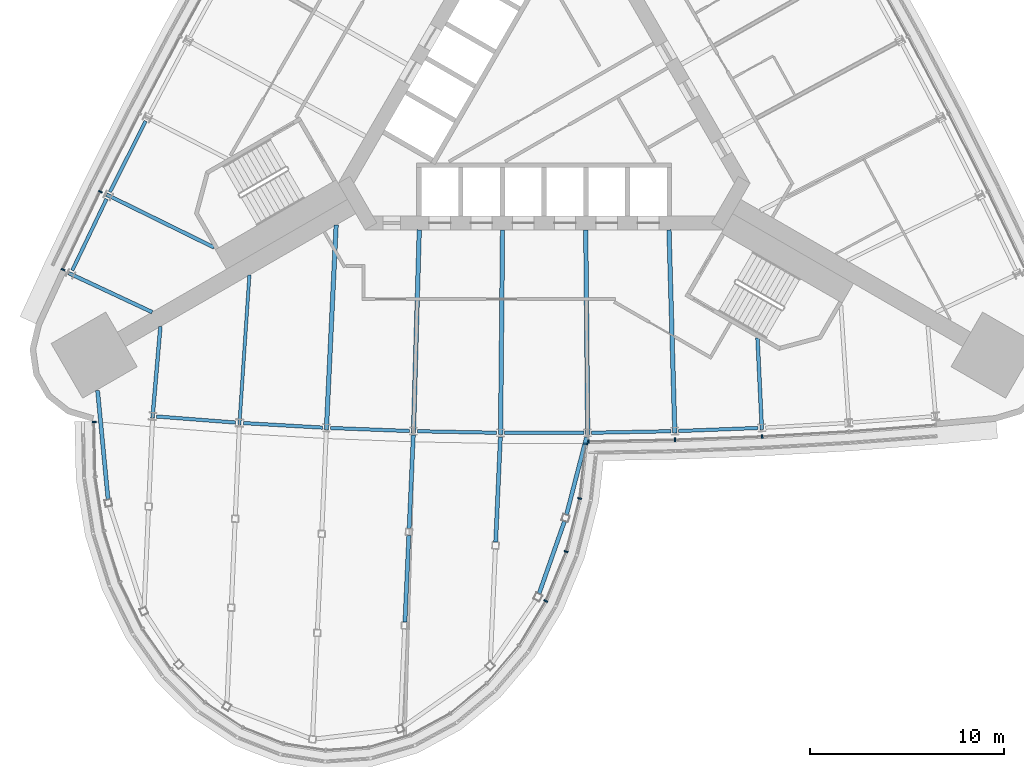
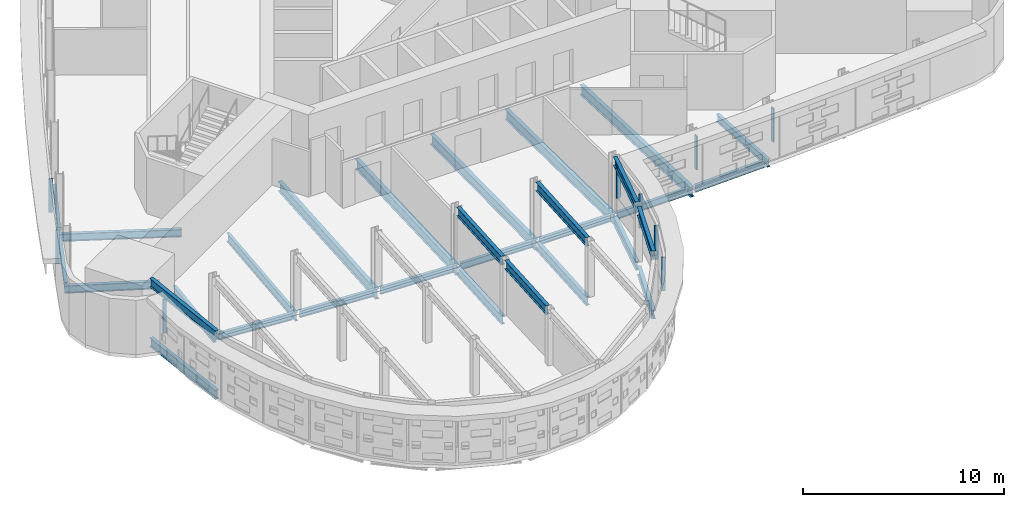
# One storey, part 4 of 16: 30 beams, 10 members, 3 elements without a shape of their own.
"""IFC4 building model written with IfcOpenShell, lengths in metres."""

from ifc_helpers import new_model, si_unit, direction, frame, origin, origin_2d, place, context, subcontext, project, spatial, rectangle, i_section, extrude, material, material_profile, profile_set, type_object, element, aggregate, save


model = new_model("IFC4")

# Units and contexts
model_context = context("Model", 3, precision=1e-05, world=origin(), true_north=direction((0.0, 1.0)))
body_context = subcontext(model_context, "Body", "Model", "MODEL_VIEW")
ifc_project = project(units=[si_unit("LENGTHUNIT", "METRE"), si_unit("AREAUNIT", "SQUARE_METRE"), si_unit("VOLUMEUNIT", "CUBIC_METRE"), si_unit("PLANEANGLEUNIT", "RADIAN"), si_unit("MASSUNIT", "GRAM", prefix="KILO")], contexts=[model_context])

# Site, building, storey
site_placement = place(None, origin())
site = spatial("IfcSite", under=ifc_project, at=site_placement, CompositionType="ELEMENT")
building_placement = place(site_placement, origin())
building = spatial("IfcBuilding", under=site, at=building_placement, Name="Noor Cloister Tower", CompositionType="ELEMENT")
storey_placement = place(building_placement, frame((0.0, 0.0, 65.39990234375)))
storey = spatial("IfcBuildingStorey", under=building, at=storey_placement, Name="L16", CompositionType="ELEMENT", Elevation=65.39990234375)

# Curtain wall, members
ifc_material_1 = material(Name="Aluminium 6063-T6 anodised", Category="aluminium")
curtain_wall_type_1 = type_object("IfcCurtainWallType", Name="Ribbon curtain wall, lower tower CW1", PredefinedType="NOTDEFINED", material=ifc_material_1)
curtain_wall_1_placement = place(storey_placement, origin())
curtain_wall_1 = element("IfcCurtainWall", 1, at=curtain_wall_1_placement, inside=storey, type_object=curtain_wall_type_1, Name="CW1 L16 NW run 1", PredefinedType="NOTDEFINED")
ifc_material_2 = material(Name="Aluminium 6063-T6 anodised", Category="aluminium")
ifc_material_profile_1 = material_profile(ifc_material_2, rectangle(XDim=0.199951171875, YDim=0.080078125, at=origin_2d()), Name="200 x 80 mullion")
ifc_profile_set_1 = profile_set([ifc_material_profile_1], Name="Aluminium 6063-T6 anodised")
member_type_1 = type_object("IfcMemberType", Name="Mullion CW1 80 x 200", PredefinedType="MULLION", material=ifc_profile_set_1)
member_1_placement = place(storey_placement, frame((-22.873046875, -4.95947265625, 1.10009765625), z_axis=(0.0, 0.0, 1.0), x_axis=(0.897485415841, -0.441044134246, 0.0)))
member_1 = element("IfcMember", 2, at=member_1_placement, type_object=member_type_1, Name="CW1 mullion 9", PredefinedType="MULLION", context=body_context, shape_type="SweptSolid", body=[
    extrude(rectangle(XDim=0.199951171875, YDim=0.080078125, at=origin_2d()), origin(), (0.0, 0.0, 1.0), 2.050048828125),
])
member_2_placement = place(storey_placement, frame((-24.80126953125, -8.97998046875, 1.10009765625), z_axis=(0.0, 0.0, 1.0), x_axis=(0.9016555994, -0.432454830094, 0.0)))
member_2 = element("IfcMember", 3, at=member_2_placement, type_object=member_type_1, Name="CW1 mullion 10", PredefinedType="MULLION", context=body_context, shape_type="SweptSolid", body=[
    extrude(rectangle(XDim=0.199951171875, YDim=0.080078125, at=origin_2d()), origin(), (0.0, 0.0, 1.0), 2.050048828125),
])
aggregate(curtain_wall_1, [member_1, member_2])

curtain_wall_2_placement = place(storey_placement, origin())
curtain_wall_2 = element("IfcCurtainWall", 4, at=curtain_wall_2_placement, inside=storey, type_object=curtain_wall_type_1, Name="CW1 L16 S run 3", PredefinedType="NOTDEFINED")
member_3_placement = place(storey_placement, frame((2.2880859375, -17.84326171875, 1.10009765625), z_axis=(0.0, 0.0, 1.0), x_axis=(-0.019095132503, 0.999817671335, 0.0)))
member_3 = element("IfcMember", 5, at=member_3_placement, type_object=member_type_1, Name="CW1 mullion 1", PredefinedType="MULLION", context=body_context, shape_type="SweptSolid", body=[
    extrude(rectangle(XDim=0.199951171875, YDim=0.080078125, at=origin_2d()), origin(), (0.0, 0.0, 1.0), 2.050048828125),
])
member_4_placement = place(storey_placement, frame((6.74609375, -17.75830078125, 1.10009765625), z_axis=(0.0, 0.0, 1.0), x_axis=(-0.028640531415, 0.999589775838, 0.0)))
member_4 = element("IfcMember", 6, at=member_4_placement, type_object=member_type_1, Name="CW1 mullion 2", PredefinedType="MULLION", context=body_context, shape_type="SweptSolid", body=[
    extrude(rectangle(XDim=0.199951171875, YDim=0.080078125, at=origin_2d()), origin(), (0.0, 0.0, 1.0), 2.050048828125),
])
member_5_placement = place(storey_placement, frame((11.240966796875, -17.58642578125, 1.10009765625), z_axis=(0.0, 0.0, 1.0), x_axis=(-0.047722608643, 0.998860627227, 0.0)))
member_5 = element("IfcMember", 7, at=member_5_placement, type_object=member_type_1, Name="CW1 mullion 3", PredefinedType="MULLION", context=body_context, shape_type="SweptSolid", body=[
    extrude(rectangle(XDim=0.199951171875, YDim=0.080078125, at=origin_2d()), origin(), (0.0, 0.0, 1.0), 2.050048828125),
])
aggregate(curtain_wall_2, [member_3, member_4, member_5])

ifc_material_3 = material(Name="Aluminium 6063-T6 anodised", Category="aluminium")
curtain_wall_type_2 = type_object("IfcCurtainWallType", Name="Sky bar curtain wall, lower bars CW2", PredefinedType="NOTDEFINED", material=ifc_material_3)
curtain_wall_3_placement = place(storey_placement, origin())
curtain_wall_3 = element("IfcCurtainWall", 8, at=curtain_wall_3_placement, inside=storey, type_object=curtain_wall_type_2, Name="CW2 L16 S sky bar run 2", PredefinedType="NOTDEFINED")
ifc_material_4 = material(Name="Aluminium 6063-T6 anodised", Category="aluminium")
ifc_material_profile_2 = material_profile(ifc_material_4, rectangle(XDim=0.199951171875, YDim=0.080078125, at=origin_2d()), Name="200 x 80 mullion")
ifc_profile_set_2 = profile_set([ifc_material_profile_2], Name="Aluminium 6063-T6 anodised")
member_type_2 = type_object("IfcMemberType", Name="Mullion CW2 80 x 200", PredefinedType="MULLION", material=ifc_profile_set_2)
member_6_placement = place(storey_placement, frame((-23.1962890625, -16.838134765625, 1.10009765625), z_axis=(0.0, 0.0, 1.0), x_axis=(0.999736542199, 0.022953130341, 0.0)))
member_6 = element("IfcMember", 9, at=member_6_placement, type_object=member_type_2, Name="CW2 mullion 1", PredefinedType="MULLION", context=body_context, shape_type="SweptSolid", body=[
    extrude(rectangle(XDim=0.199951171875, YDim=0.080078125, at=origin_2d()), origin(), (0.0, 0.0, 1.0), 2.050048828125),
])
member_7_placement = place(storey_placement, frame((0.080078125, -26.064208984375, 1.10009765625), z_axis=(0.0, 0.0, 1.0), x_axis=(-0.89306006257, 0.44993746748, 0.0)))
member_7 = element("IfcMember", 10, at=member_7_placement, type_object=member_type_2, Name="CW2 mullion 16", PredefinedType="MULLION", context=body_context, shape_type="SweptSolid", body=[
    extrude(rectangle(XDim=0.199951171875, YDim=0.080078125, at=origin_2d()), origin(), (0.0, 0.0, 1.0), 2.050048828125),
])
member_8_placement = place(storey_placement, frame((1.132080078125, -23.515625, 1.10009765625), z_axis=(0.0, 0.0, 1.0), x_axis=(-0.949082911545, 0.315026390978, 0.0)))
member_8 = element("IfcMember", 11, at=member_8_placement, type_object=member_type_2, Name="CW2 mullion 17", PredefinedType="MULLION", context=body_context, shape_type="SweptSolid", body=[
    extrude(rectangle(XDim=0.199951171875, YDim=0.080078125, at=origin_2d()), origin(), (0.0, 0.0, 1.0), 2.050048828125),
])
member_9_placement = place(storey_placement, frame((1.8291015625, -20.77978515625, 1.10009765625), z_axis=(0.0, 0.0, 1.0), x_axis=(-0.98367260005, 0.179967263442, 0.0)))
member_9 = element("IfcMember", 12, at=member_9_placement, type_object=member_type_2, Name="CW2 mullion 18", PredefinedType="MULLION", context=body_context, shape_type="SweptSolid", body=[
    extrude(rectangle(XDim=0.199951171875, YDim=0.080078125, at=origin_2d()), origin(), (0.0, 0.0, 1.0), 2.050048828125),
])
member_10_placement = place(storey_placement, frame((2.14599609375, -17.97265625, 1.10009765625), z_axis=(0.0, 0.0, 1.0), x_axis=(-0.993686005796, 0.112196799802, 0.0)))
member_10 = element("IfcMember", 13, at=member_10_placement, type_object=member_type_2, Name="CW2 mullion 19", PredefinedType="MULLION", context=body_context, shape_type="SweptSolid", body=[
    extrude(rectangle(XDim=0.199951171875, YDim=0.080078125, at=origin_2d()), origin(), (0.0, 0.0, 1.0), 2.050048828125),
])
aggregate(curtain_wall_3, [member_6, member_7, member_8, member_9, member_10])

# Beams
ifc_material_5 = material(Name="Steel ASTM A992 Gr 50", Category="steel")
ifc_material_profile_3 = material_profile(ifc_material_5, i_section(OverallWidth=0.208984375, OverallDepth=0.532958984375, WebThickness=0.01025390625, FlangeThickness=0.015625, FilletRadius=0.0126953125, at=origin_2d()), Name="W530x92")
ifc_profile_set_3 = profile_set([ifc_material_profile_3], Name="Steel ASTM A992 Gr 50")
beam_type_1 = type_object("IfcBeamType", Name="Pod floor beam W530x92", PredefinedType="BEAM", material=ifc_profile_set_3)
beam_1_placement = place(storey_placement, frame((-6.742431640625, -17.512939453125, -0.46630859375), z_axis=(-0.044756244255, -0.998997937235, 0.0), x_axis=(0.998997937235, -0.044756244255, 0.0)))
element("IfcBeam", 14, at=beam_1_placement, inside=storey, type_object=beam_type_1, Name="Pod floor beam 1 L16 line 4 span 1", PredefinedType="BEAM", context=body_context, shape_type="SweptSolid", body=[
    extrude(i_section(OverallWidth=0.208984375, OverallDepth=0.532958984375, WebThickness=0.01025390625, FlangeThickness=0.015625, FilletRadius=0.0126953125, at=origin_2d()), origin(), (0.0, 0.0, 1.0), 4.811279296875),
])
beam_2_placement = place(storey_placement, frame((-2.25390625, -17.6005859375, -0.46630859375), z_axis=(-0.044724605508, -0.998999354185, 0.0), x_axis=(0.998999354185, -0.044724605508, 0.0)))
element("IfcBeam", 15, at=beam_2_placement, inside=storey, type_object=beam_type_1, Name="Pod floor beam 1 L16 line 5 span 1", PredefinedType="BEAM", context=body_context, shape_type="SweptSolid", body=[
    extrude(i_section(OverallWidth=0.208984375, OverallDepth=0.532958984375, WebThickness=0.01025390625, FlangeThickness=0.015625, FilletRadius=0.0126953125, at=origin_2d()), origin(), (0.0, 0.0, 1.0), 5.431396484375),
])
beam_3_placement = place(storey_placement, frame((-23.016357421875, -15.21484375, -0.46630859375), z_axis=(0.095854491896, -0.995395356822, 0.0), x_axis=(0.995395356822, 0.095854491896, 0.0)))
element("IfcBeam", 16, at=beam_3_placement, inside=storey, type_object=beam_type_1, Name="Pod floor beam 1 L16 ring 1", PredefinedType="BEAM", context=body_context, shape_type="SweptSolid", body=[
    extrude(i_section(OverallWidth=0.208984375, OverallDepth=0.532958984375, WebThickness=0.01025390625, FlangeThickness=0.015625, FilletRadius=0.0126953125, at=origin_2d()), origin(), (0.0, 0.0, 1.0), 5.63134765625),
])
beam_4_placement = place(storey_placement, frame((-0.258544921875, -25.677734375, -0.46630859375), z_axis=(0.331426381667, 0.943481082765, 0.0), x_axis=(-0.943481082765, 0.331426381667, 0.0)))
element("IfcBeam", 17, at=beam_4_placement, inside=storey, type_object=beam_type_1, Name="Pod floor beam 1 L16 ring 9", PredefinedType="BEAM", context=body_context, shape_type="SweptSolid", body=[
    extrude(i_section(OverallWidth=0.208984375, OverallDepth=0.532958984375, WebThickness=0.01025390625, FlangeThickness=0.015625, FilletRadius=0.0126953125, at=origin_2d()), origin(), (0.0, 0.0, 1.0), 3.94091796875),
])
beam_5_placement = place(storey_placement, frame((1.15380859375, -21.610595703125, -0.46630859375), z_axis=(0.250480568007, 0.968121627199, 0.0), x_axis=(-0.968121627199, 0.250480568007, 0.0)))
element("IfcBeam", 18, at=beam_5_placement, inside=storey, type_object=beam_type_1, Name="Pod floor beam 1 L16 ring 10", PredefinedType="BEAM", context=body_context, shape_type="SweptSolid", body=[
    extrude(i_section(OverallWidth=0.208984375, OverallDepth=0.532958984375, WebThickness=0.01025390625, FlangeThickness=0.015625, FilletRadius=0.0126953125, at=origin_2d()), origin(), (0.0, 0.0, 1.0), 4.1171875),
])
beam_6_placement = place(storey_placement, frame((-6.742431640625, -17.512939453125, 3.133544921875), z_axis=(-0.044756244255, -0.998997937235, 0.0), x_axis=(0.998997937235, -0.044756244255, 0.0)))
element("IfcBeam", 19, at=beam_6_placement, inside=storey, type_object=beam_type_1, Name="Pod floor beam 1 L17 line 4 span 1", PredefinedType="BEAM", context=body_context, shape_type="SweptSolid", body=[
    extrude(i_section(OverallWidth=0.208984375, OverallDepth=0.532958984375, WebThickness=0.01025390625, FlangeThickness=0.015625, FilletRadius=0.0126953125, at=origin_2d()), origin(), (0.0, 0.0, 1.0), 4.811279296875),
])
beam_7_placement = place(storey_placement, frame((-6.9736328125, -22.6748046875, 3.133544921875), z_axis=(-0.044693143381, -0.999000762229, 0.0), x_axis=(0.999000762229, -0.044693143381, 0.0)))
element("IfcBeam", 20, at=beam_7_placement, inside=storey, type_object=beam_type_1, Name="Pod floor beam 1 L17 line 4 span 2", PredefinedType="BEAM", context=body_context, shape_type="SweptSolid", body=[
    extrude(i_section(OverallWidth=0.208984375, OverallDepth=0.532958984375, WebThickness=0.01025390625, FlangeThickness=0.015625, FilletRadius=0.0126953125, at=origin_2d()), origin(), (0.0, 0.0, 1.0), 4.479248046875),
])
beam_8_placement = place(storey_placement, frame((-2.25390625, -17.6005859375, 3.133544921875), z_axis=(-0.044724605508, -0.998999354185, 0.0), x_axis=(0.998999354185, -0.044724605508, 0.0)))
element("IfcBeam", 21, at=beam_8_placement, inside=storey, type_object=beam_type_1, Name="Pod floor beam 1 L17 line 5 span 1", PredefinedType="BEAM", context=body_context, shape_type="SweptSolid", body=[
    extrude(i_section(OverallWidth=0.208984375, OverallDepth=0.532958984375, WebThickness=0.01025390625, FlangeThickness=0.015625, FilletRadius=0.0126953125, at=origin_2d()), origin(), (0.0, 0.0, 1.0), 5.431396484375),
])
beam_9_placement = place(storey_placement, frame((-23.016357421875, -15.21484375, 3.133544921875), z_axis=(0.095854491896, -0.995395356822, 0.0), x_axis=(0.995395356822, 0.095854491896, 0.0)))
element("IfcBeam", 22, at=beam_9_placement, inside=storey, type_object=beam_type_1, Name="Pod floor beam 1 L17 ring 1", PredefinedType="BEAM", context=body_context, shape_type="SweptSolid", body=[
    extrude(i_section(OverallWidth=0.208984375, OverallDepth=0.532958984375, WebThickness=0.01025390625, FlangeThickness=0.015625, FilletRadius=0.0126953125, at=origin_2d()), origin(), (0.0, 0.0, 1.0), 5.63134765625),
])
beam_10_placement = place(storey_placement, frame((-0.258544921875, -25.677734375, 3.133544921875), z_axis=(0.331426381667, 0.943481082765, 0.0), x_axis=(-0.943481082765, 0.331426381667, 0.0)))
element("IfcBeam", 23, at=beam_10_placement, inside=storey, type_object=beam_type_1, Name="Pod floor beam 1 L17 ring 9", PredefinedType="BEAM", context=body_context, shape_type="SweptSolid", body=[
    extrude(i_section(OverallWidth=0.208984375, OverallDepth=0.532958984375, WebThickness=0.01025390625, FlangeThickness=0.015625, FilletRadius=0.0126953125, at=origin_2d()), origin(), (0.0, 0.0, 1.0), 3.94091796875),
])
beam_11_placement = place(storey_placement, frame((1.15380859375, -21.610595703125, 3.133544921875), z_axis=(0.250480568007, 0.968121627199, 0.0), x_axis=(-0.968121627199, 0.250480568007, 0.0)))
element("IfcBeam", 24, at=beam_11_placement, inside=storey, type_object=beam_type_1, Name="Pod floor beam 1 L17 ring 10", PredefinedType="BEAM", context=body_context, shape_type="SweptSolid", body=[
    extrude(i_section(OverallWidth=0.208984375, OverallDepth=0.532958984375, WebThickness=0.01025390625, FlangeThickness=0.015625, FilletRadius=0.0126953125, at=origin_2d()), origin(), (0.0, 0.0, 1.0), 4.1171875),
])
ifc_material_6 = material(Name="Steel ASTM A992 Gr 50", Category="steel")
ifc_material_profile_4 = material_profile(ifc_material_6, i_section(OverallWidth=0.19091796875, OverallDepth=0.45703125, WebThickness=0.009033203125, FlangeThickness=0.014404296875, FilletRadius=0.01025390625, at=origin_2d()), Name="W460x74")
ifc_profile_set_4 = profile_set([ifc_material_profile_4], Name="Steel ASTM A992 Gr 50")
beam_type_2 = type_object("IfcBeamType", Name="Radial beam W460x74", PredefinedType="BEAM", material=ifc_profile_set_4)
beam_12_placement = place(storey_placement, frame((-22.55615234375, -5.115234375, -0.428466796875), z_axis=(0.897476302169, -0.441062679271, 0.0), x_axis=(0.441062679271, 0.897476302169, 0.0)))
element("IfcBeam", 25, at=beam_12_placement, inside=storey, type_object=beam_type_2, Name="Radial beam NW 09 L16", PredefinedType="BEAM", context=body_context, shape_type="SweptSolid", body=[
    extrude(i_section(OverallWidth=0.19091796875, OverallDepth=0.45703125, WebThickness=0.009033203125, FlangeThickness=0.014404296875, FilletRadius=0.01025390625, at=origin_2d()), origin(), (0.0, 0.0, 1.0), 6.170654296875),
])
for number, where, z_axis, x_axis, name in (
    (26, (-24.49853515625, -9.164794921875, -0.428466796875), (0.905732710041, -0.423849334035, 0.0), (0.423849334035, 0.905732710041, 0.0), "Radial beam NW 10 L16"),
    (27, (-20.186279296875, -16.634033203125, -0.428466796875), (0.085840752888, 0.996308870353, 0.0), (-0.996308870353, 0.085840752888, 0.0), "Radial beam S 01 L16"),
):
    element("IfcBeam", number, at=place(storey_placement, frame(where, z_axis=z_axis, x_axis=x_axis)), inside=storey, type_object=beam_type_2, Name=name, PredefinedType="BEAM", context=body_context, shape_type="SweptSolid", body=[
        extrude(i_section(OverallWidth=0.19091796875, OverallDepth=0.45703125, WebThickness=0.009033203125, FlangeThickness=0.014404296875, FilletRadius=0.01025390625, at=origin_2d()), origin(), (0.0, 0.0, 1.0), 4.7412109375),
    ])
beam_13_placement = place(storey_placement, frame((11.22412109375, -17.23388671875, -0.428466796875), z_axis=(-0.047709887881, 0.998861234906, 0.0), x_axis=(-0.998861234906, -0.047709887881, 0.0)))
element("IfcBeam", 28, at=beam_13_placement, inside=storey, type_object=beam_type_2, Name="Radial beam S 08 L16", PredefinedType="BEAM", context=body_context, shape_type="SweptSolid", body=[
    extrude(i_section(OverallWidth=0.19091796875, OverallDepth=0.45703125, WebThickness=0.009033203125, FlangeThickness=0.014404296875, FilletRadius=0.01025390625, at=origin_2d()), origin(), (0.0, 0.0, 1.0), 4.728271484375),
])
ifc_material_7 = material(Name="Steel ASTM A992 Gr 50", Category="steel")
ifc_material_profile_5 = material_profile(ifc_material_7, i_section(OverallWidth=0.166015625, OverallDepth=0.528076171875, WebThickness=0.009765625, FlangeThickness=0.013671875, FilletRadius=0.0126953125, at=origin_2d()), Name="W530x74")
ifc_profile_set_5 = profile_set([ifc_material_profile_5], Name="Steel ASTM A992 Gr 50")
beam_type_3 = type_object("IfcBeamType", Name="Radial beam W530x74", PredefinedType="BEAM", material=ifc_profile_set_5)
beam_14_placement = place(storey_placement, frame((-15.7080078125, -16.976806640625, -0.4638671875), z_axis=(0.066778864516, 0.997767800269, 0.0), x_axis=(-0.997767800269, 0.066778864516, 0.0)))
element("IfcBeam", 29, at=beam_14_placement, inside=storey, type_object=beam_type_3, Name="Radial beam S 02 L16", PredefinedType="BEAM", context=body_context, shape_type="SweptSolid", body=[
    extrude(i_section(OverallWidth=0.166015625, OverallDepth=0.528076171875, WebThickness=0.009765625, FlangeThickness=0.013671875, FilletRadius=0.0126953125, at=origin_2d()), origin(), (0.0, 0.0, 1.0), 7.732421875),
])
ifc_material_8 = material(Name="Steel ASTM A992 Gr 50", Category="steel")
ifc_material_profile_6 = material_profile(ifc_material_8, i_section(OverallWidth=0.22802734375, OverallDepth=0.60205078125, WebThickness=0.010498046875, FlangeThickness=0.014892578125, FilletRadius=0.0126953125, at=origin_2d()), Name="W610x101")
ifc_profile_set_6 = profile_set([ifc_material_profile_6], Name="Steel ASTM A992 Gr 50")
beam_type_4 = type_object("IfcBeamType", Name="Radial beam W610x101", PredefinedType="BEAM", material=ifc_profile_set_6)
beam_15_placement = place(storey_placement, frame((-11.22412109375, -17.23388671875, -0.5009765625), z_axis=(0.047714450947, 0.998861016944, 0.0), x_axis=(-0.998861016944, 0.047714450947, 0.0)))
element("IfcBeam", 30, at=beam_15_placement, inside=storey, type_object=beam_type_4, Name="Radial beam S 03 L16", PredefinedType="BEAM", context=body_context, shape_type="SweptSolid", body=[
    extrude(i_section(OverallWidth=0.22802734375, OverallDepth=0.60205078125, WebThickness=0.010498046875, FlangeThickness=0.014892578125, FilletRadius=0.0126953125, at=origin_2d()), origin(), (0.0, 0.0, 1.0), 10.56591796875),
])
beam_16_placement = place(storey_placement, frame((-6.736083984375, -17.4052734375, -0.5009765625), z_axis=(0.028650209329, 0.999589498497, 0.0), x_axis=(-0.999589498497, 0.028650209329, 0.0)))
element("IfcBeam", 31, at=beam_16_placement, inside=storey, type_object=beam_type_4, Name="Radial beam S 04 L16", PredefinedType="BEAM", context=body_context, shape_type="SweptSolid", body=[
    extrude(i_section(OverallWidth=0.22802734375, OverallDepth=0.60205078125, WebThickness=0.010498046875, FlangeThickness=0.014892578125, FilletRadius=0.0126953125, at=origin_2d()), origin(), (0.0, 0.0, 1.0), 10.4814453125),
])
for number, where, z_axis, x_axis, name in (
    (32, (-2.24560546875, -17.4912109375, -0.5009765625), (0.009545166766, 0.999954443858, 0.0), (-0.999954443858, 0.009545166766, 0.0), "Radial beam S 05 L16"),
    (33, (2.24560546875, -17.4912109375, -0.5009765625), (-0.009545166766, 0.999954443858, 0.0), (-0.999954443858, -0.009545166766, 0.0), "Radial beam S 06 L16"),
):
    element("IfcBeam", number, at=place(storey_placement, frame(where, z_axis=z_axis, x_axis=x_axis)), inside=storey, type_object=beam_type_4, Name=name, PredefinedType="BEAM", context=body_context, shape_type="SweptSolid", body=[
        extrude(i_section(OverallWidth=0.22802734375, OverallDepth=0.60205078125, WebThickness=0.010498046875, FlangeThickness=0.014892578125, FilletRadius=0.0126953125, at=origin_2d()), origin(), (0.0, 0.0, 1.0), 10.5634765625),
    ])
beam_17_placement = place(storey_placement, frame((6.736083984375, -17.4052734375, -0.5009765625), z_axis=(-0.028650209329, 0.999589498497, 0.0), x_axis=(-0.999589498497, -0.028650209329, 0.0)))
element("IfcBeam", 34, at=beam_17_placement, inside=storey, type_object=beam_type_4, Name="Radial beam S 07 L16", PredefinedType="BEAM", context=body_context, shape_type="SweptSolid", body=[
    extrude(i_section(OverallWidth=0.22802734375, OverallDepth=0.60205078125, WebThickness=0.010498046875, FlangeThickness=0.014892578125, FilletRadius=0.0126953125, at=origin_2d()), origin(), (0.0, 0.0, 1.0), 10.4814453125),
])
ifc_material_9 = material(Name="Steel ASTM A992 Gr 50", Category="steel")
ifc_material_profile_7 = material_profile(ifc_material_9, i_section(OverallWidth=0.177978515625, OverallDepth=0.406005859375, WebThickness=0.0078125, FlangeThickness=0.0126953125, FilletRadius=0.01025390625, at=origin_2d()), Name="W410x60")
ifc_profile_set_7 = profile_set([ifc_material_profile_7], Name="Steel ASTM A992 Gr 50")
beam_type_5 = type_object("IfcBeamType", Name="Spandrel beam W410x60", PredefinedType="SPANDREL", material=ifc_profile_set_7)
beam_18_placement = place(storey_placement, frame((-20.54150390625, -1.328369140625, -0.40283203125), z_axis=(-0.449626227314, -0.893216802188, 0.0), x_axis=(0.893216802188, -0.449626227314, 0.0)))
element("IfcBeam", 35, at=beam_18_placement, inside=storey, type_object=beam_type_5, Name="Spandrel beam NW 08 L16", PredefinedType="SPANDREL", context=body_context, shape_type="SweptSolid", body=[
    extrude(i_section(OverallWidth=0.177978515625, OverallDepth=0.406005859375, WebThickness=0.0078125, FlangeThickness=0.0126953125, FilletRadius=0.01025390625, at=origin_2d()), origin(), (0.0, 0.0, 1.0), 4.08544921875),
])
beam_19_placement = place(storey_placement, frame((-22.556640625, -5.340087890625, -0.40283203125), z_axis=(-0.432427965781, -0.901668483652, 0.0), x_axis=(0.901668483652, -0.432427965781, 0.0)))
element("IfcBeam", 36, at=beam_19_placement, inside=storey, type_object=beam_type_5, Name="Spandrel beam NW 09 L16", PredefinedType="SPANDREL", context=body_context, shape_type="SweptSolid", body=[
    extrude(i_section(OverallWidth=0.177978515625, OverallDepth=0.406005859375, WebThickness=0.0078125, FlangeThickness=0.0126953125, FilletRadius=0.01025390625, at=origin_2d()), origin(), (0.0, 0.0, 1.0), 4.085205078125),
])
for number, where, z_axis, x_axis, name in (
    (37, (-19.9765625, -16.552734375, -0.40283203125), (0.997083939733, -0.076312627572, 0.0), (0.076312627572, 0.997083939733, 0.0), "Spandrel beam S 01 L16"),
    (38, (-15.499755859375, -16.891357421875, -0.40283203125), (0.998356421162, -0.057310176457, 0.0), (0.057310176457, 0.998356421162, 0.0), "Spandrel beam S 02 L16"),
    (39, (-11.017578125, -17.144775390625, -0.40283203125), (0.999270676901, -0.03818526268, 0.0), (0.03818526268, 0.999270676901, 0.0), "Spandrel beam S 03 L16"),
):
    element("IfcBeam", number, at=place(storey_placement, frame(where, z_axis=z_axis, x_axis=x_axis)), inside=storey, type_object=beam_type_5, Name=name, PredefinedType="SPANDREL", context=body_context, shape_type="SweptSolid", body=[
        extrude(i_section(OverallWidth=0.177978515625, OverallDepth=0.406005859375, WebThickness=0.0078125, FlangeThickness=0.0126953125, FilletRadius=0.01025390625, at=origin_2d()), origin(), (0.0, 0.0, 1.0), 4.08544921875),
    ])
beam_20_placement = place(storey_placement, frame((-6.53125, -17.312255859375, -0.40283203125), z_axis=(0.99981826395, -0.019064078075, 0.0), x_axis=(0.019064078075, 0.99981826395, 0.0)))
element("IfcBeam", 40, at=beam_20_placement, inside=storey, type_object=beam_type_5, Name="Spandrel beam S 04 L16", PredefinedType="SPANDREL", context=body_context, shape_type="SweptSolid", body=[
    extrude(i_section(OverallWidth=0.177978515625, OverallDepth=0.406005859375, WebThickness=0.0078125, FlangeThickness=0.0126953125, FilletRadius=0.01025390625, at=origin_2d()), origin(), (0.0, 0.0, 1.0), 4.085205078125),
])
beam_21_placement = place(storey_placement, frame((-2.042724609375, -17.39404296875, -0.40283203125), z_axis=(1.0, 0.0, 0.0), x_axis=(0.0, 1.0, 0.0)))
element("IfcBeam", 41, at=beam_21_placement, inside=storey, type_object=beam_type_5, Name="Spandrel beam S 05 L16", PredefinedType="SPANDREL", context=body_context, shape_type="SweptSolid", body=[
    extrude(i_section(OverallWidth=0.177978515625, OverallDepth=0.406005859375, WebThickness=0.0078125, FlangeThickness=0.0126953125, FilletRadius=0.01025390625, at=origin_2d()), origin(), (0.0, 0.0, 1.0), 4.08544921875),
])
beam_22_placement = place(storey_placement, frame((2.44677734375, -17.39013671875, -0.40283203125), z_axis=(0.99981826395, 0.019064078075, 0.0), x_axis=(-0.019064078075, 0.99981826395, 0.0)))
element("IfcBeam", 42, at=beam_22_placement, inside=storey, type_object=beam_type_5, Name="Spandrel beam S 06 L16", PredefinedType="SPANDREL", context=body_context, shape_type="SweptSolid", body=[
    extrude(i_section(OverallWidth=0.177978515625, OverallDepth=0.406005859375, WebThickness=0.0078125, FlangeThickness=0.0126953125, FilletRadius=0.01025390625, at=origin_2d()), origin(), (0.0, 0.0, 1.0), 4.085205078125),
])
beam_23_placement = place(storey_placement, frame((6.93505859375, -17.30078125, -0.40283203125), z_axis=(0.999270676901, 0.03818526268, 0.0), x_axis=(-0.03818526268, 0.999270676901, 0.0)))
element("IfcBeam", 43, at=beam_23_placement, inside=storey, type_object=beam_type_5, Name="Spandrel beam S 07 L16", PredefinedType="SPANDREL", context=body_context, shape_type="SweptSolid", body=[
    extrude(i_section(OverallWidth=0.177978515625, OverallDepth=0.406005859375, WebThickness=0.0078125, FlangeThickness=0.0126953125, FilletRadius=0.01025390625, at=origin_2d()), origin(), (0.0, 0.0, 1.0), 4.08544921875),
])

save(model, "model.ifc")
